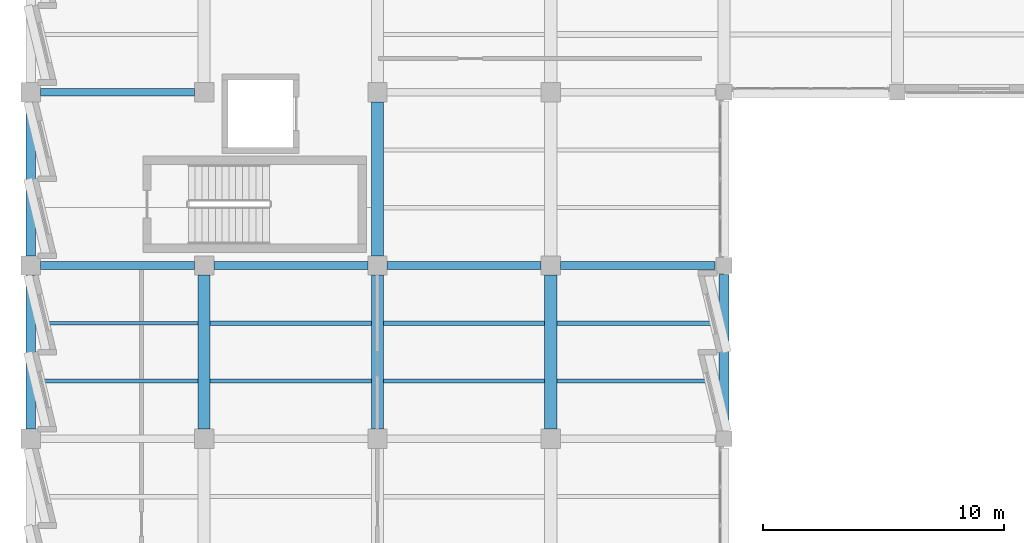
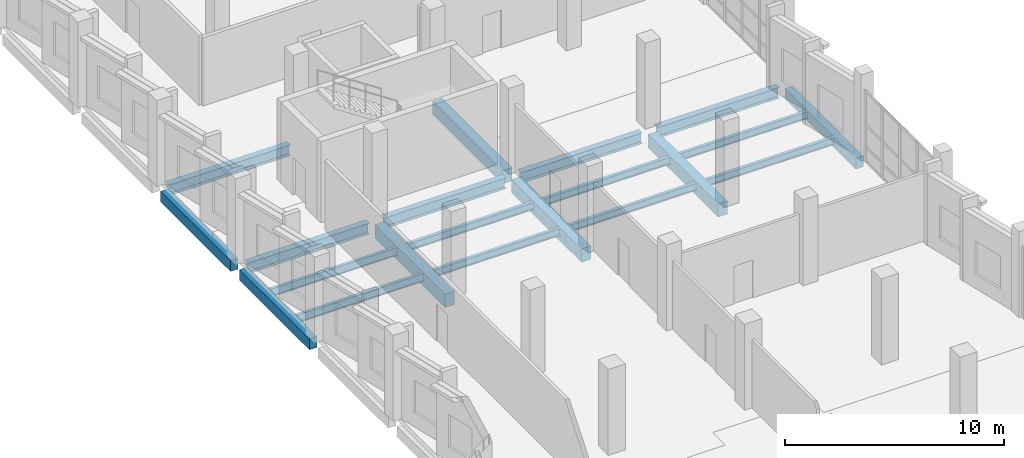
# One storey, part 46 of 127: 20 beams.
"""IFC4 building model written with IfcOpenShell, lengths in metres."""

from ifc_helpers import new_model, si_unit, direction, frame, origin, origin_2d, place, context, subcontext, project, spatial, rectangle, i_section, extrude, material, material_profile, profile_set, type_object, element, save


model = new_model("IFC4")

# Units and contexts
model_context = context("Model", 3, precision=1e-05, world=origin(), true_north=direction((0.0, 1.0)))
body_context = subcontext(model_context, "Body", "Model", "MODEL_VIEW")
ifc_project = project(units=[si_unit("LENGTHUNIT", "METRE"), si_unit("AREAUNIT", "SQUARE_METRE"), si_unit("VOLUMEUNIT", "CUBIC_METRE"), si_unit("PLANEANGLEUNIT", "RADIAN"), si_unit("MASSUNIT", "GRAM", prefix="KILO")], contexts=[model_context])

# Site, building, storey
site_placement = place(None, origin())
site = spatial("IfcSite", under=ifc_project, at=site_placement, CompositionType="ELEMENT")
building_placement = place(site_placement, origin())
building = spatial("IfcBuilding", under=site, at=building_placement, Name="Kalmorath City Hall", CompositionType="ELEMENT")
storey_placement = place(building_placement, frame((0.0, 0.0, 5.39990234375)))
storey = spatial("IfcBuildingStorey", under=building, at=storey_placement, Name="L01", CompositionType="ELEMENT", Elevation=5.39990234375)

# Beams
ifc_material_1 = material(Name="Concrete C40/50", Category="concrete")
ifc_material_profile_1 = material_profile(ifc_material_1, rectangle(XDim=0.39990234375, YDim=0.60009765625, at=origin_2d()), Name="RC-BM-400X600")
ifc_profile_set_1 = profile_set([ifc_material_profile_1], Name="Concrete C40/50")
beam_type_1 = type_object("IfcBeamType", Name="Concrete edge beam 400x600", PredefinedType="SPANDREL", material=ifc_profile_set_1)
for number, where, z_axis, x_axis, name in (
    (1, (0.0, 79.60009765625, -0.6240234375), (0.0, 1.0, 0.0), (-1.0, 0.0, 0.0), "L01 girder CB6 Y1/12-13"),
    (2, (0.0, 86.800048828125, -0.6240234375), (0.0, 1.0, 0.0), (-1.0, 0.0, 0.0), "L01 girder CB6 Y1/13-14"),
):
    element("IfcBeam", number, at=place(storey_placement, frame(where, z_axis=z_axis, x_axis=x_axis)), inside=storey, type_object=beam_type_1, Name=name, PredefinedType="SPANDREL", context=body_context, shape_type="SweptSolid", body=[
        extrude(rectangle(XDim=0.39990234375, YDim=0.60009765625, at=origin_2d()), origin(), (0.0, 0.0, 1.0), 6.39990234375),
    ])
beam_1_placement = place(storey_placement, frame((28.800048828125, 79.574951171875, -0.6240234375), z_axis=(0.0, 1.0, 0.0), x_axis=(-1.0, 0.0, 0.0)))
element("IfcBeam", 3, at=beam_1_placement, inside=storey, type_object=beam_type_1, Name="L01 girder CB6 Y5/12-13", PredefinedType="SPANDREL", context=body_context, shape_type="SweptSolid", body=[
    extrude(rectangle(XDim=0.39990234375, YDim=0.60009765625, at=origin_2d()), origin(), (0.0, 0.0, 1.0), 6.449951171875),
])
ifc_material_2 = material(Name="Concrete C40/50", Category="concrete")
ifc_material_profile_2 = material_profile(ifc_material_2, rectangle(XDim=0.5, YDim=0.75, at=origin_2d()), Name="RC-BM-500X750")
ifc_profile_set_2 = profile_set([ifc_material_profile_2], Name="Concrete C40/50")
beam_type_2 = type_object("IfcBeamType", Name="Concrete floor beam 500x750", PredefinedType="BEAM", material=ifc_profile_set_2)
for number, where, z_axis, x_axis, name in (
    (4, (7.199951171875, 79.60009765625, -0.698974609375), (0.0, 1.0, 0.0), (-1.0, 0.0, 0.0), "L01 girder CB3 Y2/12-13"),
    (5, (14.39990234375, 79.60009765625, -0.698974609375), (0.0, 1.0, 0.0), (-1.0, 0.0, 0.0), "L01 girder CB3 Y3/12-13"),
    (6, (14.39990234375, 86.800048828125, -0.698974609375), (0.0, 1.0, 0.0), (-1.0, 0.0, 0.0), "L01 girder CB3 Y3/13-14"),
    (7, (21.60009765625, 79.60009765625, -0.698974609375), (0.0, 1.0, 0.0), (-1.0, 0.0, 0.0), "L01 girder CB3 Y4/12-13"),
):
    element("IfcBeam", number, at=place(storey_placement, frame(where, z_axis=z_axis, x_axis=x_axis)), inside=storey, type_object=beam_type_2, Name=name, PredefinedType="BEAM", context=body_context, shape_type="SweptSolid", body=[
        extrude(rectangle(XDim=0.5, YDim=0.75, at=origin_2d()), origin(), (0.0, 0.0, 1.0), 6.39990234375),
    ])
ifc_material_3 = material(Name="Steel ASTM A992 Grade 50", Category="steel")
ifc_material_profile_3 = material_profile(ifc_material_3, i_section(OverallWidth=0.177001953125, OverallDepth=0.403076171875, WebThickness=0.007568359375, FlangeThickness=0.010986328125, FilletRadius=0.012939453125, at=origin_2d()), Name="W16X36")
ifc_profile_set_3 = profile_set([ifc_material_profile_3], Name="Steel ASTM A992 Grade 50")
beam_type_3 = type_object("IfcBeamType", Name="Steel composite joist W16X36", PredefinedType="JOIST", material=ifc_profile_set_3)
for number, where, z_axis, x_axis, name in (
    (8, (21.85009765625, 81.60009765625, -0.525390625), (1.0, 0.0, 0.0), (0.0, 1.0, 0.0), "L01 joist SJ7 4.12.1"),
    (9, (21.85009765625, 84.0, -0.525390625), (1.0, 0.0, 0.0), (0.0, 1.0, 0.0), "L01 joist SJ7 4.12.2"),
):
    element("IfcBeam", number, at=place(storey_placement, frame(where, z_axis=z_axis, x_axis=x_axis)), inside=storey, type_object=beam_type_3, Name=name, PredefinedType="JOIST", context=body_context, shape_type="SweptSolid", body=[
        extrude(i_section(OverallWidth=0.177001953125, OverallDepth=0.403076171875, WebThickness=0.007568359375, FlangeThickness=0.010986328125, FilletRadius=0.012939453125, at=origin_2d()), origin(), (0.0, 0.0, 1.0), 6.75),
    ])
ifc_material_4 = material(Name="Steel ASTM A992 Grade 50", Category="steel")
ifc_material_profile_4 = material_profile(ifc_material_4, i_section(OverallWidth=0.178955078125, OverallDepth=0.409912109375, WebThickness=0.0087890625, FlangeThickness=0.014404296875, FilletRadius=0.012939453125, at=origin_2d()), Name="W16X45")
ifc_profile_set_4 = profile_set([ifc_material_profile_4], Name="Steel ASTM A992 Grade 50")
beam_type_4 = type_object("IfcBeamType", Name="Steel composite joist W16X45", PredefinedType="JOIST", material=ifc_profile_set_4)
for number, where, z_axis, x_axis, name in (
    (10, (14.64990234375, 81.60009765625, -0.52880859375), (1.0, 0.0, 0.0), (0.0, 1.0, 0.0), "L01 joist SJ6 3.12.1"),
    (11, (14.64990234375, 84.0, -0.52880859375), (1.0, 0.0, 0.0), (0.0, 1.0, 0.0), "L01 joist SJ6 3.12.2"),
):
    element("IfcBeam", number, at=place(storey_placement, frame(where, z_axis=z_axis, x_axis=x_axis)), inside=storey, type_object=beam_type_4, Name=name, PredefinedType="JOIST", context=body_context, shape_type="SweptSolid", body=[
        extrude(i_section(OverallWidth=0.178955078125, OverallDepth=0.409912109375, WebThickness=0.0087890625, FlangeThickness=0.014404296875, FilletRadius=0.012939453125, at=origin_2d()), origin(), (0.0, 0.0, 1.0), 6.7001953125),
    ])
ifc_material_5 = material(Name="Steel ASTM A992 Grade 50", Category="steel")
ifc_material_profile_5 = material_profile(ifc_material_5, i_section(OverallWidth=0.180908203125, OverallDepth=0.4169921875, WebThickness=0.010986328125, FlangeThickness=0.018310546875, FilletRadius=0.012939453125, at=origin_2d()), Name="W16X57")
ifc_profile_set_5 = profile_set([ifc_material_profile_5], Name="Steel ASTM A992 Grade 50")
beam_type_5 = type_object("IfcBeamType", Name="Steel composite joist W16X57", PredefinedType="JOIST", material=ifc_profile_set_5)
for number, where, z_axis, x_axis, name in (
    (12, (7.449951171875, 81.60009765625, -0.532470703125), (1.0, 0.0, 0.0), (0.0, 1.0, 0.0), "L01 joist SJ5 2.12.1"),
    (13, (7.449951171875, 84.0, -0.532470703125), (1.0, 0.0, 0.0), (0.0, 1.0, 0.0), "L01 joist SJ5 2.12.2"),
):
    element("IfcBeam", number, at=place(storey_placement, frame(where, z_axis=z_axis, x_axis=x_axis)), inside=storey, type_object=beam_type_5, Name=name, PredefinedType="JOIST", context=body_context, shape_type="SweptSolid", body=[
        extrude(i_section(OverallWidth=0.180908203125, OverallDepth=0.4169921875, WebThickness=0.010986328125, FlangeThickness=0.018310546875, FilletRadius=0.012939453125, at=origin_2d()), origin(), (0.0, 0.0, 1.0), 6.699951171875),
    ])
ifc_material_6 = material(Name="Steel ASTM A992 Grade 50", Category="steel")
ifc_material_profile_6 = material_profile(ifc_material_6, i_section(OverallWidth=0.153076171875, OverallDepth=0.455078125, WebThickness=0.008056640625, FlangeThickness=0.01318359375, FilletRadius=0.013916015625, at=origin_2d()), Name="W18X40")
ifc_profile_set_6 = profile_set([ifc_material_profile_6], Name="Steel ASTM A992 Grade 50")
beam_type_6 = type_object("IfcBeamType", Name="Steel composite joist W18X40", PredefinedType="JOIST", material=ifc_profile_set_6)
for number, where, z_axis, x_axis, name in (
    (14, (0.199951171875, 81.60009765625, -0.551513671875), (1.0, 0.0, 0.0), (0.0, 1.0, 0.0), "L01 joist SJ4 1.12.1"),
    (15, (0.199951171875, 84.0, -0.551513671875), (1.0, 0.0, 0.0), (0.0, 1.0, 0.0), "L01 joist SJ4 1.12.2"),
):
    element("IfcBeam", number, at=place(storey_placement, frame(where, z_axis=z_axis, x_axis=x_axis)), inside=storey, type_object=beam_type_6, Name=name, PredefinedType="JOIST", context=body_context, shape_type="SweptSolid", body=[
        extrude(i_section(OverallWidth=0.153076171875, OverallDepth=0.455078125, WebThickness=0.008056640625, FlangeThickness=0.01318359375, FilletRadius=0.013916015625, at=origin_2d()), origin(), (0.0, 0.0, 1.0), 6.75),
    ])
ifc_material_7 = material(Name="Steel ASTM A992 Grade 50", Category="steel")
ifc_material_profile_7 = material_profile(ifc_material_7, i_section(OverallWidth=0.323974609375, OverallDepth=0.611083984375, WebThickness=0.0126953125, FlangeThickness=0.01904296875, FilletRadius=0.01611328125, at=origin_2d()), Name="W24X104")
ifc_profile_set_7 = profile_set([ifc_material_profile_7], Name="Steel ASTM A992 Grade 50")
beam_type_7 = type_object("IfcBeamType", Name="Steel floor girder W24X104", PredefinedType="BEAM", material=ifc_profile_set_7)
beam_2_placement = place(storey_placement, frame((0.39990234375, 86.39990234375, -0.62939453125), z_axis=(1.0, 0.0, 0.0), x_axis=(0.0, 1.0, 0.0)))
element("IfcBeam", 16, at=beam_2_placement, inside=storey, type_object=beam_type_7, Name="L01 girder SG7 X1-2/13", PredefinedType="BEAM", context=body_context, shape_type="SweptSolid", body=[
    extrude(i_section(OverallWidth=0.323974609375, OverallDepth=0.611083984375, WebThickness=0.0126953125, FlangeThickness=0.01904296875, FilletRadius=0.01611328125, at=origin_2d()), origin(), (0.0, 0.0, 1.0), 6.400146484375),
])
for number, where, z_axis, x_axis, name in (
    (17, (7.60009765625, 86.39990234375, -0.62939453125), (1.0, 0.0, 0.0), (0.0, 1.0, 0.0), "L01 girder SG7 X2-3/13"),
    (18, (14.800048828125, 86.39990234375, -0.62939453125), (1.0, 0.0, 0.0), (0.0, 1.0, 0.0), "L01 girder SG7 X3-4/13"),
):
    element("IfcBeam", number, at=place(storey_placement, frame(where, z_axis=z_axis, x_axis=x_axis)), inside=storey, type_object=beam_type_7, Name=name, PredefinedType="BEAM", context=body_context, shape_type="SweptSolid", body=[
        extrude(i_section(OverallWidth=0.323974609375, OverallDepth=0.611083984375, WebThickness=0.0126953125, FlangeThickness=0.01904296875, FilletRadius=0.01611328125, at=origin_2d()), origin(), (0.0, 0.0, 1.0), 6.39990234375),
    ])
beam_3_placement = place(storey_placement, frame((22.0, 86.39990234375, -0.62939453125), z_axis=(1.0, 0.0, 0.0), x_axis=(0.0, 1.0, 0.0)))
element("IfcBeam", 19, at=beam_3_placement, inside=storey, type_object=beam_type_7, Name="L01 girder SG7 X4-5/13", PredefinedType="BEAM", context=body_context, shape_type="SweptSolid", body=[
    extrude(i_section(OverallWidth=0.323974609375, OverallDepth=0.611083984375, WebThickness=0.0126953125, FlangeThickness=0.01904296875, FilletRadius=0.01611328125, at=origin_2d()), origin(), (0.0, 0.0, 1.0), 6.425048828125),
])
beam_4_placement = place(storey_placement, frame((0.39990234375, 93.60009765625, -0.62939453125), z_axis=(1.0, 0.0, 0.0), x_axis=(0.0, 1.0, 0.0)))
element("IfcBeam", 20, at=beam_4_placement, inside=storey, type_object=beam_type_7, Name="L01 girder SG7 X1-2/14", PredefinedType="BEAM", context=body_context, shape_type="SweptSolid", body=[
    extrude(i_section(OverallWidth=0.323974609375, OverallDepth=0.611083984375, WebThickness=0.0126953125, FlangeThickness=0.01904296875, FilletRadius=0.01611328125, at=origin_2d()), origin(), (0.0, 0.0, 1.0), 6.400146484375),
])

save(model, "model.ifc")
